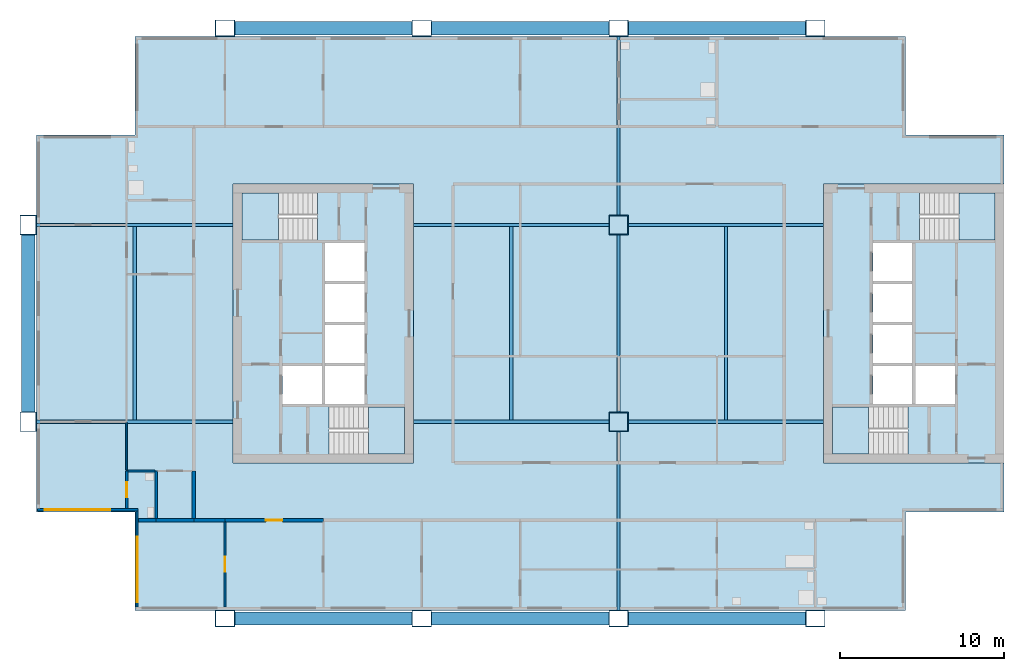
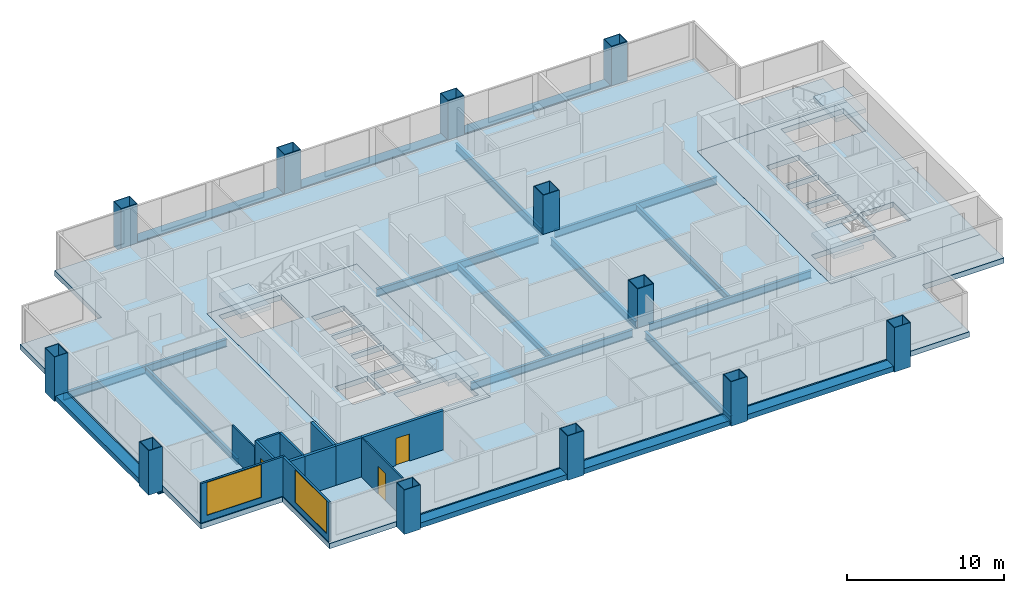
# One storey, part 1 of 8: 19 beams, 12 columns, 12 walls, 7 slabs, 3 doors, 2 windows, 5 openings, 4 elements without a shape of their own.
"""IFC4 building model written with IfcOpenShell, lengths in metres."""

from ifc_helpers import new_model, si_unit, direction, frame, frame_2d, origin, origin_2d, place, context, subcontext, project, spatial, polyline, rectangle, hollow_rectangle, i_section, outline, extrude, material, layer, layer_set, material_profile, profile_set, type_object, element, fill, aggregate, save


model = new_model("IFC4")

# Units and contexts
model_context = context("Model", 3, precision=1e-05, world=origin(), true_north=direction((0.0, 1.0)))
body_context = subcontext(model_context, "Body", "Model", "MODEL_VIEW")
ifc_project = project(units=[si_unit("LENGTHUNIT", "METRE"), si_unit("AREAUNIT", "SQUARE_METRE"), si_unit("VOLUMEUNIT", "CUBIC_METRE"), si_unit("PLANEANGLEUNIT", "RADIAN"), si_unit("MASSUNIT", "GRAM", prefix="KILO")], contexts=[model_context])

# Site, building, storey
site_placement = place(None, origin())
site = spatial("IfcSite", under=ifc_project, at=site_placement, CompositionType="ELEMENT")
building_placement = place(site_placement, origin())
building = spatial("IfcBuilding", under=site, at=building_placement, Name="Kitamizu Gate Tower and Museum", CompositionType="ELEMENT")
storey_placement = place(building_placement, frame((0.0, 0.0, 189.300048828125)))
storey = spatial("IfcBuildingStorey", under=building, at=storey_placement, Name="L50", CompositionType="ELEMENT", Elevation=189.300048828125)

# Columns
ifc_material_1 = material(Name="Steel SM490A bronze coated", Category="steel")
ifc_material_profile_1 = material_profile(ifc_material_1, hollow_rectangle(XDim=1.199951171875, YDim=1.0, WallThickness=0.044921875, at=origin_2d()), Name="BOX 1200x1000x45")
ifc_profile_set_1 = profile_set([ifc_material_profile_1], Name="Steel SM490A bronze coated")
column_type_1 = type_object("IfcColumnType", Name="Exoskeleton column XC7 BOX 1200x1000x45", PredefinedType="COLUMN", material=ifc_profile_set_1)
for number, where, z_axis, x_axis, name in (
    (1, (0.0, 24.0, -0.400146484375), (0.0, 0.0, 1.0), (0.0, 1.0, 0.0), "Column XC7 1C L50"),
    (2, (0.0, 36.0, -0.400146484375), (0.0, 0.0, 1.0), (0.0, 1.0, 0.0), "Column XC7 1D L50"),
    (3, (12.0, 12.0, -0.400146484375), (0.0, 0.0, 1.0), (1.0, 0.0, 0.0), "Column XC7 2B L50"),
    (4, (12.0, 48.0, -0.400146484375), (0.0, 0.0, 1.0), (1.0, 0.0, 0.0), "Column XC7 2E L50"),
    (5, (24.0, 12.0, -0.400146484375), (0.0, 0.0, 1.0), (1.0, 0.0, 0.0), "Column XC7 3B L50"),
    (6, (24.0, 48.0, -0.400146484375), (0.0, 0.0, 1.0), (1.0, 0.0, 0.0), "Column XC7 3E L50"),
    (7, (36.0, 12.0, -0.400146484375), (0.0, 0.0, 1.0), (1.0, 0.0, 0.0), "Column XC7 4B L50"),
    (8, (36.0, 48.0, -0.400146484375), (0.0, 0.0, 1.0), (1.0, 0.0, 0.0), "Column XC7 4E L50"),
    (9, (48.0, 12.0, -0.400146484375), (0.0, 0.0, 1.0), (1.0, 0.0, 0.0), "Column XC7 5B L50"),
    (10, (48.0, 48.0, -0.400146484375), (0.0, 0.0, 1.0), (1.0, 0.0, 0.0), "Column XC7 5E L50"),
):
    element("IfcColumn", number, at=place(storey_placement, frame(where, z_axis=z_axis, x_axis=x_axis)), inside=storey, type_object=column_type_1, Name=name, PredefinedType="COLUMN", context=body_context, shape_type="SweptSolid", body=[
        extrude(hollow_rectangle(XDim=1.199951171875, YDim=1.0, WallThickness=0.044921875, at=origin_2d()), origin(), (0.0, 0.0, 1.0), 3.4501953125),
    ])
ifc_material_2 = material(Name="Steel SM490A", Category="steel")
ifc_material_profile_2 = material_profile(ifc_material_2, hollow_rectangle(XDim=1.199951171875, YDim=1.199951171875, WallThickness=0.050048828125, at=origin_2d()), Name="BOX 1200x1200x50")
ifc_profile_set_2 = profile_set([ifc_material_profile_2], Name="Steel SM490A")
column_type_2 = type_object("IfcColumnType", Name="Interior column IC4 BOX 1200x1200x50", PredefinedType="COLUMN", material=ifc_profile_set_2)
for number, where, z_axis, x_axis, name in (
    (11, (36.0, 24.0, 0.0), (0.0, 0.0, 1.0), (1.0, 0.0, 0.0), "Column IC4 4C L50"),
    (12, (36.0, 36.0, 0.0), (0.0, 0.0, 1.0), (1.0, 0.0, 0.0), "Column IC4 4D L50"),
):
    element("IfcColumn", number, at=place(storey_placement, frame(where, z_axis=z_axis, x_axis=x_axis)), inside=storey, type_object=column_type_2, Name=name, PredefinedType="COLUMN", context=body_context, shape_type="SweptSolid", body=[
        extrude(hollow_rectangle(XDim=1.199951171875, YDim=1.199951171875, WallThickness=0.050048828125, at=origin_2d()), origin(), (0.0, 0.0, 1.0), 3.050048828125),
    ])

# Beams
ifc_material_3 = material(Name="Steel SM490A bronze coated", Category="steel")
ifc_material_profile_3 = material_profile(ifc_material_3, hollow_rectangle(XDim=0.800048828125, YDim=0.39990234375, WallThickness=0.0400390625, at=origin_2d()), Name="BOX 800x400x40")
ifc_profile_set_3 = profile_set([ifc_material_profile_3], Name="Steel SM490A bronze coated")
beam_type_1 = type_object("IfcBeamType", Name="Exoskeleton spandrel beam SB1 BOX 800x400x40", PredefinedType="SPANDREL", material=ifc_profile_set_3)
for number, where, z_axis, x_axis, name in (
    (13, (12.60009765625, 12.0, -0.199951171875), (1.0, 0.0, 0.0), (0.0, 1.0, 0.0), "Exoskeleton spandrel beam south 12 L50"),
    (14, (24.60009765625, 12.0, -0.199951171875), (1.0, 0.0, 0.0), (0.0, 1.0, 0.0), "Exoskeleton spandrel beam south 24 L50"),
    (15, (36.60009765625, 12.0, -0.199951171875), (1.0, 0.0, 0.0), (0.0, 1.0, 0.0), "Exoskeleton spandrel beam south 36 L50"),
    (16, (12.60009765625, 48.0, -0.199951171875), (1.0, 0.0, 0.0), (0.0, 1.0, 0.0), "Exoskeleton spandrel beam north 12 L50"),
    (17, (24.60009765625, 48.0, -0.199951171875), (1.0, 0.0, 0.0), (0.0, 1.0, 0.0), "Exoskeleton spandrel beam north 24 L50"),
    (18, (36.60009765625, 48.0, -0.199951171875), (1.0, 0.0, 0.0), (0.0, 1.0, 0.0), "Exoskeleton spandrel beam north 36 L50"),
    (19, (0.0, 24.60009765625, -0.199951171875), (0.0, 1.0, 0.0), (-1.0, 0.0, 0.0), "Exoskeleton spandrel beam west 24 L50"),
):
    element("IfcBeam", number, at=place(storey_placement, frame(where, z_axis=z_axis, x_axis=x_axis)), inside=storey, type_object=beam_type_1, Name=name, PredefinedType="SPANDREL", context=body_context, shape_type="SweptSolid", body=[
        extrude(hollow_rectangle(XDim=0.800048828125, YDim=0.39990234375, WallThickness=0.0400390625, at=origin_2d()), origin(), (0.0, 0.0, 1.0), 10.7998046875),
    ])
ifc_material_4 = material(Name="Steel SM490A", Category="steel")
ifc_material_profile_4 = material_profile(ifc_material_4, i_section(OverallWidth=0.199951171875, OverallDepth=0.5, WebThickness=0.010009765625, FlangeThickness=0.01611328125, FilletRadius=0.02001953125, at=origin_2d()), Name="H-500x200x10x16")
ifc_profile_set_4 = profile_set([ifc_material_profile_4], Name="Steel SM490A")
beam_type_2 = type_object("IfcBeamType", Name="Floor beam FB1 H 500x200x10x16", PredefinedType="BEAM", material=ifc_profile_set_4)
for number, where, z_axis, x_axis, name in (
    (20, (6.5, 24.10009765625, -0.650146484375), (0.0, 1.0, 0.0), (-1.0, 0.0, 0.0), "Floor beam FB1 L50-1"),
    (21, (29.449951171875, 24.10009765625, -0.650146484375), (0.0, 1.0, 0.0), (-1.0, 0.0, 0.0), "Floor beam FB1 L50-2"),
    (22, (42.550048828125, 24.10009765625, -0.650146484375), (0.0, 1.0, 0.0), (-1.0, 0.0, 0.0), "Floor beam FB1 L50-3"),
):
    element("IfcBeam", number, at=place(storey_placement, frame(where, z_axis=z_axis, x_axis=x_axis)), inside=storey, type_object=beam_type_2, Name=name, PredefinedType="BEAM", context=body_context, shape_type="SweptSolid", body=[
        extrude(i_section(OverallWidth=0.199951171875, OverallDepth=0.5, WebThickness=0.010009765625, FlangeThickness=0.01611328125, FilletRadius=0.02001953125, at=origin_2d()), origin(), (0.0, 0.0, 1.0), 11.7998046875),
    ])
ifc_material_5 = material(Name="Steel SM490A", Category="steel")
ifc_material_profile_5 = material_profile(ifc_material_5, i_section(OverallWidth=0.199951171875, OverallDepth=0.60009765625, WebThickness=0.010986328125, FlangeThickness=0.01708984375, FilletRadius=0.02197265625, at=origin_2d()), Name="H-600x200x11x17")
ifc_profile_set_5 = profile_set([ifc_material_profile_5], Name="Steel SM490A")
beam_type_3 = type_object("IfcBeamType", Name="Floor girder FG1 H 600x200x11x17", PredefinedType="BEAM", material=ifc_profile_set_5)
beam_1_placement = place(storey_placement, frame((36.0, 12.5, -0.699951171875), z_axis=(0.0, 1.0, 0.0), x_axis=(-1.0, 0.0, 0.0)))
element("IfcBeam", 23, at=beam_1_placement, inside=storey, type_object=beam_type_3, Name="Floor girder FG1 x36 L50", PredefinedType="BEAM", context=body_context, shape_type="SweptSolid", body=[
    extrude(i_section(OverallWidth=0.199951171875, OverallDepth=0.60009765625, WebThickness=0.010986328125, FlangeThickness=0.01708984375, FilletRadius=0.02197265625, at=origin_2d()), origin(), (0.0, 0.0, 1.0), 10.89990234375),
])
beam_2_placement = place(storey_placement, frame((36.0, 24.60009765625, -0.699951171875), z_axis=(0.0, 1.0, 0.0), x_axis=(-1.0, 0.0, 0.0)))
element("IfcBeam", 24, at=beam_2_placement, inside=storey, type_object=beam_type_3, Name="Floor girder FG1 x36 L50", PredefinedType="BEAM", context=body_context, shape_type="SweptSolid", body=[
    extrude(i_section(OverallWidth=0.199951171875, OverallDepth=0.60009765625, WebThickness=0.010986328125, FlangeThickness=0.01708984375, FilletRadius=0.02197265625, at=origin_2d()), origin(), (0.0, 0.0, 1.0), 10.7998046875),
])
beam_3_placement = place(storey_placement, frame((36.0, 36.60009765625, -0.699951171875), z_axis=(0.0, 1.0, 0.0), x_axis=(-1.0, 0.0, 0.0)))
element("IfcBeam", 25, at=beam_3_placement, inside=storey, type_object=beam_type_3, Name="Floor girder FG1 x36 L50", PredefinedType="BEAM", context=body_context, shape_type="SweptSolid", body=[
    extrude(i_section(OverallWidth=0.199951171875, OverallDepth=0.60009765625, WebThickness=0.010986328125, FlangeThickness=0.01708984375, FilletRadius=0.02197265625, at=origin_2d()), origin(), (0.0, 0.0, 1.0), 10.89990234375),
])
beam_4_placement = place(storey_placement, frame((0.5, 24.0, -0.699951171875), z_axis=(1.0, 0.0, 0.0), x_axis=(0.0, 1.0, 0.0)))
element("IfcBeam", 26, at=beam_4_placement, inside=storey, type_object=beam_type_3, Name="Floor girder FG1 y24 L50", PredefinedType="BEAM", context=body_context, shape_type="SweptSolid", body=[
    extrude(i_section(OverallWidth=0.199951171875, OverallDepth=0.60009765625, WebThickness=0.010986328125, FlangeThickness=0.01708984375, FilletRadius=0.02197265625, at=origin_2d()), origin(), (0.0, 0.0, 1.0), 12.0),
])
for number, where, z_axis, x_axis, name in (
    (27, (23.5, 24.0, -0.699951171875), (1.0, 0.0, 0.0), (0.0, 1.0, 0.0), "Floor girder FG1 y24 L50"),
    (28, (36.60009765625, 24.0, -0.699951171875), (1.0, 0.0, 0.0), (0.0, 1.0, 0.0), "Floor girder FG1 y24 L50"),
):
    element("IfcBeam", number, at=place(storey_placement, frame(where, z_axis=z_axis, x_axis=x_axis)), inside=storey, type_object=beam_type_3, Name=name, PredefinedType="BEAM", context=body_context, shape_type="SweptSolid", body=[
        extrude(i_section(OverallWidth=0.199951171875, OverallDepth=0.60009765625, WebThickness=0.010986328125, FlangeThickness=0.01708984375, FilletRadius=0.02197265625, at=origin_2d()), origin(), (0.0, 0.0, 1.0), 11.89990234375),
    ])
beam_5_placement = place(storey_placement, frame((0.5, 36.0, -0.699951171875), z_axis=(1.0, 0.0, 0.0), x_axis=(0.0, 1.0, 0.0)))
element("IfcBeam", 29, at=beam_5_placement, inside=storey, type_object=beam_type_3, Name="Floor girder FG1 y36 L50", PredefinedType="BEAM", context=body_context, shape_type="SweptSolid", body=[
    extrude(i_section(OverallWidth=0.199951171875, OverallDepth=0.60009765625, WebThickness=0.010986328125, FlangeThickness=0.01708984375, FilletRadius=0.02197265625, at=origin_2d()), origin(), (0.0, 0.0, 1.0), 12.0),
])
for number, where, z_axis, x_axis, name in (
    (30, (23.5, 36.0, -0.699951171875), (1.0, 0.0, 0.0), (0.0, 1.0, 0.0), "Floor girder FG1 y36 L50"),
    (31, (36.60009765625, 36.0, -0.699951171875), (1.0, 0.0, 0.0), (0.0, 1.0, 0.0), "Floor girder FG1 y36 L50"),
):
    element("IfcBeam", number, at=place(storey_placement, frame(where, z_axis=z_axis, x_axis=x_axis)), inside=storey, type_object=beam_type_3, Name=name, PredefinedType="BEAM", context=body_context, shape_type="SweptSolid", body=[
        extrude(i_section(OverallWidth=0.199951171875, OverallDepth=0.60009765625, WebThickness=0.010986328125, FlangeThickness=0.01708984375, FilletRadius=0.02197265625, at=origin_2d()), origin(), (0.0, 0.0, 1.0), 11.89990234375),
    ])

# Slabs
ifc_material_6 = material(Name="Concrete Fc36", Category="concrete")
ifc_layer_1 = layer(ifc_material_6, 0.39990234375)
ifc_layer_set_1 = layer_set([ifc_layer_1], Name="Concrete Fc36")
slab_type_1 = type_object("IfcSlabType", Name="Core floor slab 400", PredefinedType="FLOOR", material=ifc_layer_set_1)
slab_1_placement = place(storey_placement, frame((0.0, 0.0, -0.400146484375)))
element("IfcSlab", 32, at=slab_1_placement, inside=storey, type_object=slab_type_1, Name="Core floor slab W", PredefinedType="FLOOR", context=body_context, shape_type="SweptSolid", body=[
    extrude(outline(polyline([(12.5, 21.5), (23.5, 21.5), (23.5, 38.5), (12.5, 38.5), (12.5, 21.5)]), holes=[polyline([(15.5, 25.10009765625), (17.89990234375, 25.10009765625), (17.89990234375, 27.39990234375), (15.5, 27.39990234375), (15.5, 25.10009765625)]), polyline([(18.10009765625, 25.10009765625), (20.5, 25.10009765625), (20.5, 27.39990234375), (18.10009765625, 27.39990234375), (18.10009765625, 25.10009765625)]), polyline([(18.10009765625, 27.60009765625), (20.5, 27.60009765625), (20.5, 29.89990234375), (18.10009765625, 29.89990234375), (18.10009765625, 27.60009765625)]), polyline([(18.10009765625, 30.10009765625), (20.5, 30.10009765625), (20.5, 32.39990234375), (18.10009765625, 32.39990234375), (18.10009765625, 30.10009765625)]), polyline([(18.10009765625, 32.60009765625), (20.5, 32.60009765625), (20.5, 34.89990234375), (18.10009765625, 34.89990234375), (18.10009765625, 32.60009765625)]), polyline([(18.3505859375, 22.050048828125), (22.949951171875, 22.050048828125), (22.949951171875, 24.89990234375), (18.3505859375, 24.89990234375), (18.3505859375, 22.050048828125)]), polyline([(13.050048828125, 35.10009765625), (17.6494140625, 35.10009765625), (17.6494140625, 37.949951171875), (13.050048828125, 37.949951171875), (13.050048828125, 35.10009765625)])]), origin(), (0.0, 0.0, 1.0), 0.400146484375),
])
slab_2_placement = place(storey_placement, frame((0.0, 0.0, -0.400146484375)))
element("IfcSlab", 33, at=slab_2_placement, inside=storey, type_object=slab_type_1, Name="Core floor slab E", PredefinedType="FLOOR", context=body_context, shape_type="SweptSolid", body=[
    extrude(outline(polyline([(48.5, 21.5), (59.5, 21.5), (59.5, 38.5), (48.5, 38.5), (48.5, 21.5)]), holes=[polyline([(54.10009765625, 25.10009765625), (56.5, 25.10009765625), (56.5, 27.39990234375), (54.10009765625, 27.39990234375), (54.10009765625, 25.10009765625)]), polyline([(51.5, 25.10009765625), (53.89990234375, 25.10009765625), (53.89990234375, 27.39990234375), (51.5, 27.39990234375), (51.5, 25.10009765625)]), polyline([(51.5, 27.60009765625), (53.89990234375, 27.60009765625), (53.89990234375, 29.89990234375), (51.5, 29.89990234375), (51.5, 27.60009765625)]), polyline([(51.5, 30.10009765625), (53.89990234375, 30.10009765625), (53.89990234375, 32.39990234375), (51.5, 32.39990234375), (51.5, 30.10009765625)]), polyline([(51.5, 32.60009765625), (53.89990234375, 32.60009765625), (53.89990234375, 34.89990234375), (51.5, 34.89990234375), (51.5, 32.60009765625)]), polyline([(49.050048828125, 22.050048828125), (53.6494140625, 22.050048828125), (53.6494140625, 24.89990234375), (49.050048828125, 24.89990234375), (49.050048828125, 22.050048828125)]), polyline([(54.3505859375, 35.10009765625), (58.949951171875, 35.10009765625), (58.949951171875, 37.949951171875), (54.3505859375, 37.949951171875), (54.3505859375, 35.10009765625)])]), origin(), (0.0, 0.0, 1.0), 0.400146484375),
])
ifc_material_7 = material(Name="Concrete Fc36", Category="concrete")
ifc_layer_2 = layer(ifc_material_7, 0.39990234375)
ifc_layer_set_2 = layer_set([ifc_layer_2], Name="Concrete Fc36")
slab_type_2 = type_object("IfcSlabType", Name="Post tensioned flat slab 400", PredefinedType="FLOOR", material=ifc_layer_set_2)
slab_3_placement = place(storey_placement, frame((0.0, 0.0, -0.400146484375)))
element("IfcSlab", 34, at=slab_3_placement, inside=storey, type_object=slab_type_2, Name="Floor slab L50-1", PredefinedType="FLOOR", context=body_context, shape_type="SweptSolid", body=[
    extrude(outline(polyline([(0.5, 18.5), (0.5, 41.5), (6.5, 41.5), (6.5, 47.5), (53.5, 47.5), (53.5, 41.5), (59.5, 41.5), (59.5, 38.5), (48.5, 38.5), (48.5, 21.5), (59.5, 21.5), (59.5, 18.5), (53.5, 18.5), (53.5, 12.5), (6.5, 12.5), (6.5, 18.5), (0.5, 18.5)]), holes=[polyline([(12.5, 38.5), (12.5, 21.5), (23.5, 21.5), (23.5, 38.5), (12.5, 38.5)])]), origin(), (0.0, 0.0, 1.0), 0.400146484375),
])

# Stair, slab
ifc_material_8 = material(Name="Concrete Fc42", Category="concrete")
stair_type = type_object("IfcStairType", Name="Exit stair 1325 wide 192 rise 300 going", PredefinedType="HALF_TURN_STAIR", material=ifc_material_8)
stair_1_placement = place(storey_placement, origin())
stair_1 = element("IfcStair", 35, at=stair_1_placement, inside=storey, type_object=stair_type, Name="Exit stair ST1", PredefinedType="HALF_TURN_STAIR")
ifc_material_9 = material(Name="Concrete Fc42", Category="concrete")
ifc_layer_3 = layer(ifc_material_9, 0.300048828125)
ifc_layer_set_3 = layer_set([ifc_layer_3], Name="Concrete Fc42")
slab_type_3 = type_object("IfcSlabType", Name="Stair landing 300", PredefinedType="LANDING", material=ifc_layer_set_3)
slab_4_placement = place(storey_placement, frame((0.0, 0.0, 1.425048828125)))
slab_4 = element("IfcSlab", 36, at=slab_4_placement, type_object=slab_type_3, Name="ST1 landing 1", PredefinedType="LANDING", context=body_context, shape_type="SweptSolid", body=[
    extrude(outline(polyline([(20.75, 22.050048828125), (22.949951171875, 22.050048828125), (22.949951171875, 24.89990234375), (20.75, 24.89990234375), (20.75, 22.050048828125)])), origin(), (0.0, 0.0, 1.0), 0.2998046875),
])
aggregate(stair_1, [slab_4])

stair_2_placement = place(storey_placement, origin())
stair_2 = element("IfcStair", 37, at=stair_2_placement, inside=storey, type_object=stair_type, Name="Exit stair ST2", PredefinedType="HALF_TURN_STAIR")
slab_5_placement = place(storey_placement, frame((0.0, 0.0, 1.425048828125)))
slab_5 = element("IfcSlab", 38, at=slab_5_placement, type_object=slab_type_3, Name="ST2 landing 1", PredefinedType="LANDING", context=body_context, shape_type="SweptSolid", body=[
    extrude(outline(polyline([(13.050048828125, 35.10009765625), (15.25, 35.10009765625), (15.25, 37.949951171875), (13.050048828125, 37.949951171875), (13.050048828125, 35.10009765625)])), origin(), (0.0, 0.0, 1.0), 0.2998046875),
])
aggregate(stair_2, [slab_5])

stair_3_placement = place(storey_placement, origin())
stair_3 = element("IfcStair", 39, at=stair_3_placement, inside=storey, type_object=stair_type, Name="Exit stair ST3", PredefinedType="HALF_TURN_STAIR")
slab_6_placement = place(storey_placement, frame((0.0, 0.0, 1.425048828125)))
slab_6 = element("IfcSlab", 40, at=slab_6_placement, type_object=slab_type_3, Name="ST3 landing 1", PredefinedType="LANDING", context=body_context, shape_type="SweptSolid", body=[
    extrude(outline(polyline([(49.050048828125, 22.050048828125), (51.25, 22.050048828125), (51.25, 24.89990234375), (49.050048828125, 24.89990234375), (49.050048828125, 22.050048828125)])), origin(), (0.0, 0.0, 1.0), 0.2998046875),
])
aggregate(stair_3, [slab_6])

stair_4_placement = place(storey_placement, origin())
stair_4 = element("IfcStair", 41, at=stair_4_placement, inside=storey, type_object=stair_type, Name="Exit stair ST4", PredefinedType="HALF_TURN_STAIR")
slab_7_placement = place(storey_placement, frame((0.0, 0.0, 1.425048828125)))
slab_7 = element("IfcSlab", 42, at=slab_7_placement, type_object=slab_type_3, Name="ST4 landing 1", PredefinedType="LANDING", context=body_context, shape_type="SweptSolid", body=[
    extrude(outline(polyline([(56.75, 35.10009765625), (58.949951171875, 35.10009765625), (58.949951171875, 37.949951171875), (56.75, 37.949951171875), (56.75, 35.10009765625)])), origin(), (0.0, 0.0, 1.0), 0.2998046875),
])
aggregate(stair_4, [slab_7])

# Wall, opening, door
ifc_material_10 = material(Name="Gypsum board on galvanised stud")
ifc_layer_4 = layer(ifc_material_10, 0.10009765625)
ifc_layer_set_4 = layer_set([ifc_layer_4], Name="Gypsum board on galvanised stud")
wall_type_1 = type_object("IfcWallType", Name="Partition 100 NOT RATED", PredefinedType="PARTITIONING", material=ifc_layer_set_4)
wall_1_placement = place(storey_placement, frame((12.0, 12.719970703125, 0.0), z_axis=(0.0, 0.0, 1.0), x_axis=(0.0, 1.0, 0.0)))
wall_1 = element("IfcWall", 43, at=wall_1_placement, inside=storey, type_object=wall_type_1, Name="Partition L50-001", PredefinedType="PARTITIONING", context=body_context, shape_type="SweptSolid", body=[
    extrude(rectangle(XDim=5.179931640625, YDim=0.10009765625, at=frame_2d((2.58984375, 0.0))), origin(), (0.0, 0.0, 1.0), 3.050048828125),
])
opening_1_placement = place(wall_1_placement, frame((2.139892578125, 0.0, 0.0)))
opening_1 = element("IfcOpeningElement", 44, at=opening_1_placement, cuts=wall_1, Name="Opening L50-002", PredefinedType="OPENING", context=body_context, shape_type="SweptSolid", body=[
    extrude(rectangle(XDim=0.89990234375, YDim=2.10009765625, at=frame_2d((0.449951171875, 1.050048828125))), frame((0.0, 0.06005859375, 0.0), z_axis=(0.0, -1.0, 0.0), x_axis=(1.0, 0.0, 0.0)), (0.0, 0.0, 1.0), 0.1201171875),
])
ifc_material_11 = material(Name="Timber door set", Category="wood")
door_type_1 = type_object("IfcDoorType", Name="Room door 900", OperationType="NOTDEFINED", PredefinedType="DOOR", material=ifc_material_11)
door_1_placement = place(opening_1_placement, origin())
door_1 = element("IfcDoor", 45, at=door_1_placement, inside=storey, type_object=door_type_1, Name="Door L50-002", OperationType="SINGLE_SWING_LEFT", OverallHeight=2.10009765625, OverallWidth=0.89990234375, PredefinedType="DOOR", context=body_context, shape_type="SweptSolid", body=[
    extrude(rectangle(XDim=0.89990234375, YDim=2.10009765625, at=frame_2d((0.449951171875, 1.050048828125))), frame((0.0, 0.02490234375, 0.0), z_axis=(0.0, -1.0, 0.0), x_axis=(1.0, 0.0, 0.0)), (0.0, 0.0, 1.0), 0.050048828125),
])
fill(opening_1, door_1)

# Wall
wall_2_placement = place(storey_placement, frame((6.0, 21.074951171875, 0.0), z_axis=(0.0, 0.0, 1.0), x_axis=(0.0, 1.0, 0.0)))
element("IfcWall", 46, at=wall_2_placement, inside=storey, type_object=wall_type_1, Name="Partition L50-040", PredefinedType="PARTITIONING", context=body_context, shape_type="SweptSolid", body=[
    extrude(rectangle(XDim=2.875, YDim=0.10009765625, at=frame_2d((1.4375, 0.0))), origin(), (0.0, 0.0, 1.0), 2.449951171875),
])

# Wall, opening, door
ifc_material_12 = material(Name="Gypsum board on galvanised stud")
ifc_layer_5 = layer(ifc_material_12, 0.14990234375)
ifc_layer_set_5 = layer_set([ifc_layer_5], Name="Gypsum board on galvanised stud")
wall_type_2 = type_object("IfcWallType", Name="Partition 150", PredefinedType="PARTITIONING", material=ifc_layer_set_5)
wall_3_placement = place(storey_placement, frame((6.0, 18.719970703125, 0.0), z_axis=(0.0, 0.0, 1.0), x_axis=(0.0, 1.0, 0.0)))
wall_3 = element("IfcWall", 47, at=wall_3_placement, inside=storey, type_object=wall_type_2, Name="Partition L50-039", PredefinedType="PARTITIONING", context=body_context, shape_type="SweptSolid", body=[
    extrude(rectangle(XDim=2.280029296875, YDim=0.14990234375, at=frame_2d((1.14013671875, 0.0))), origin(), (0.0, 0.0, 1.0), 3.050048828125),
])
opening_2_placement = place(wall_3_placement, frame((0.68994140625, 0.0, 0.0)))
opening_2 = element("IfcOpeningElement", 48, at=opening_2_placement, cuts=wall_3, Name="Opening L50-022", PredefinedType="OPENING", context=body_context, shape_type="SweptSolid", body=[
    extrude(rectangle(XDim=0.89990234375, YDim=2.10009765625, at=frame_2d((0.449951171875, 1.050048828125))), frame((0.0, 0.0849609375, 0.0), z_axis=(0.0, -1.0, 0.0), x_axis=(1.0, 0.0, 0.0)), (0.0, 0.0, 1.0), 0.169921875),
])
ifc_material_13 = material(Name="Timber door set", Category="wood")
door_type_2 = type_object("IfcDoorType", Name="Bathroom door 900", OperationType="NOTDEFINED", PredefinedType="DOOR", material=ifc_material_13)
door_2_placement = place(opening_2_placement, frame((0.89990234375, 0.0, 0.0), x_axis=(-1.0, 0.0, 0.0)))
door_2 = element("IfcDoor", 49, at=door_2_placement, inside=storey, type_object=door_type_2, Name="Bathroom door L50-022", OperationType="SINGLE_SWING_RIGHT", OverallHeight=2.10009765625, OverallWidth=0.89990234375, PredefinedType="DOOR", context=body_context, shape_type="SweptSolid", body=[
    extrude(rectangle(XDim=0.89990234375, YDim=2.10009765625, at=frame_2d((0.449951171875, 1.050048828125))), frame((0.0, 0.02490234375, 0.0), z_axis=(0.0, -1.0, 0.0), x_axis=(1.0, 0.0, 0.0)), (0.0, 0.0, 1.0), 0.050048828125),
])
fill(opening_2, door_2)

# Walls
wall_4_placement = place(storey_placement, frame((7.800048828125, 18.10009765625, 0.0), z_axis=(0.0, 0.0, 1.0), x_axis=(0.0, 1.0, 0.0)))
element("IfcWall", 50, at=wall_4_placement, inside=storey, type_object=wall_type_2, Name="Partition L50-046", PredefinedType="PARTITIONING", context=body_context, shape_type="SweptSolid", body=[
    extrude(rectangle(XDim=2.89990234375, YDim=0.14990234375, at=frame_2d((1.449951171875, 0.0))), origin(), (0.0, 0.0, 1.0), 3.050048828125),
])
wall_5_placement = place(storey_placement, frame((7.72509765625, 21.0, 0.0), z_axis=(0.0, 0.0, 1.0), x_axis=(-1.0, 0.0, 0.0)))
element("IfcWall", 51, at=wall_5_placement, inside=storey, type_object=wall_type_2, Name="Partition L50-047", PredefinedType="PARTITIONING", context=body_context, shape_type="SweptSolid", body=[
    extrude(rectangle(XDim=1.650146484375, YDim=0.14990234375, at=frame_2d((0.8251953125, 0.0))), origin(), (0.0, 0.0, 1.0), 3.050048828125),
])
ifc_material_14 = material(Name="Gypsum board on galvanised stud")
ifc_layer_6 = layer(ifc_material_14, 0.199951171875)
ifc_layer_set_6 = layer_set([ifc_layer_6], Name="Gypsum board on galvanised stud")
wall_type_3 = type_object("IfcWallType", Name="Partition 200", PredefinedType="PARTITIONING", material=ifc_layer_set_6)
wall_6_placement = place(storey_placement, frame((7.800048828125, 18.0, 0.0), z_axis=(0.0, 0.0, 1.0), x_axis=(-1.0, 0.0, 0.0)))
element("IfcWall", 52, at=wall_6_placement, inside=storey, type_object=wall_type_3, Name="Partition L50-002", PredefinedType="PARTITIONING", context=body_context, shape_type="SweptSolid", body=[
    extrude(rectangle(XDim=1.080078125, YDim=0.199951171875, at=frame_2d((0.5400390625, 0.0))), origin(), (0.0, 0.0, 1.0), 3.050048828125),
])
wall_7_placement = place(storey_placement, frame((10.10009765625, 18.0, 0.0), z_axis=(0.0, 0.0, 1.0), x_axis=(-1.0, 0.0, 0.0)))
element("IfcWall", 53, at=wall_7_placement, inside=storey, type_object=wall_type_3, Name="Partition L50-003", PredefinedType="PARTITIONING", context=body_context, shape_type="SweptSolid", body=[
    extrude(rectangle(XDim=2.300048828125, YDim=0.199951171875, at=frame_2d((1.14990234375, 0.0))), origin(), (0.0, 0.0, 1.0), 3.050048828125),
])
wall_8_placement = place(storey_placement, frame((12.0, 18.0, 0.0), z_axis=(0.0, 0.0, 1.0), x_axis=(-1.0, 0.0, 0.0)))
element("IfcWall", 54, at=wall_8_placement, inside=storey, type_object=wall_type_3, Name="Partition L50-004", PredefinedType="PARTITIONING", context=body_context, shape_type="SweptSolid", body=[
    extrude(rectangle(XDim=1.89990234375, YDim=0.199951171875, at=frame_2d((0.949951171875, 0.0))), origin(), (0.0, 0.0, 1.0), 3.050048828125),
])

# Wall, opening, door
wall_9_placement = place(storey_placement, frame((18.0, 18.0, 0.0), z_axis=(0.0, 0.0, 1.0), x_axis=(-1.0, 0.0, 0.0)))
wall_9 = element("IfcWall", 55, at=wall_9_placement, inside=storey, type_object=wall_type_3, Name="Partition L50-006", PredefinedType="PARTITIONING", context=body_context, shape_type="SweptSolid", body=[
    extrude(rectangle(XDim=6.0, YDim=0.199951171875, at=frame_2d((3.0, 0.0))), origin(), (0.0, 0.0, 1.0), 3.050048828125),
])
opening_3_placement = place(wall_9_placement, frame((2.5, 0.0, 0.0)))
opening_3 = element("IfcOpeningElement", 56, at=opening_3_placement, cuts=wall_9, Name="Opening L50-001", PredefinedType="OPENING", context=body_context, shape_type="SweptSolid", body=[
    extrude(rectangle(XDim=1.0, YDim=2.10009765625, at=frame_2d((0.5, 1.050048828125))), frame((0.0, 0.10986328125, 0.0), z_axis=(0.0, -1.0, 0.0), x_axis=(1.0, 0.0, 0.0)), (0.0, 0.0, 1.0), 0.219970703125),
])
ifc_material_15 = material(Name="Timber door set", Category="wood")
door_type_3 = type_object("IfcDoorType", Name="Flat entrance door 1000", OperationType="NOTDEFINED", PredefinedType="DOOR", material=ifc_material_15)
door_3_placement = place(opening_3_placement, origin())
door_3 = element("IfcDoor", 57, at=door_3_placement, inside=storey, type_object=door_type_3, Name="Flat entrance door L50-001", OperationType="SINGLE_SWING_RIGHT", OverallHeight=2.10009765625, OverallWidth=1.0, PredefinedType="DOOR", context=body_context, shape_type="SweptSolid", body=[
    extrude(rectangle(XDim=1.0, YDim=2.10009765625, at=frame_2d((0.5, 1.050048828125))), frame((0.0, 0.02490234375, 0.0), z_axis=(0.0, -1.0, 0.0), x_axis=(1.0, 0.0, 0.0)), (0.0, 0.0, 1.0), 0.050048828125),
])
fill(opening_3, door_3)

# Wall
wall_10_placement = place(storey_placement, frame((10.10009765625, 18.10009765625, 0.0), z_axis=(0.0, 0.0, 1.0), x_axis=(0.0, 1.0, 0.0)))
element("IfcWall", 58, at=wall_10_placement, inside=storey, type_object=wall_type_3, Name="Partition L50-049", PredefinedType="PARTITIONING", context=body_context, shape_type="SweptSolid", body=[
    extrude(rectangle(XDim=2.89990234375, YDim=0.199951171875, at=frame_2d((1.449951171875, 0.0))), origin(), (0.0, 0.0, 1.0), 3.050048828125),
])

# Wall, opening, window
ifc_material_16 = material(Name="Bronze anodised aluminium frame with insulated spandrel and tinted glass", Category="aluminium")
ifc_layer_7 = layer(ifc_material_16, 0.14990234375)
ifc_layer_set_7 = layer_set([ifc_layer_7], Name="Bronze anodised aluminium frame with insulated spandrel and tinted glass")
wall_type_4 = type_object("IfcWallType", Name="WINDOW WALL 150 BRONZE FRAME EI 30", PredefinedType="ELEMENTEDWALL", material=ifc_layer_set_7)
wall_11_placement = place(storey_placement, frame((0.56005859375, 18.635009765625, 0.0), z_axis=(0.0, 0.0, 1.0), x_axis=(1.0, 0.0, 0.0)))
wall_11 = element("IfcWall", 59, at=wall_11_placement, inside=storey, type_object=wall_type_4, Name="Window wall south L50", PredefinedType="ELEMENTEDWALL", context=body_context, shape_type="SweptSolid", body=[
    extrude(rectangle(XDim=6.14990234375, YDim=0.14990234375, at=frame_2d((3.074951171875, 0.0))), origin(), (0.0, 0.0, 1.0), 3.050048828125),
])
opening_4_placement = place(wall_11_placement, frame((0.43994140625, 0.0, 0.449951171875)))
opening_4 = element("IfcOpeningElement", 60, at=opening_4_placement, cuts=wall_11, Name="Opening W16", PredefinedType="OPENING", context=body_context, shape_type="SweptSolid", body=[
    extrude(rectangle(XDim=4.0, YDim=2.550048828125, at=frame_2d((2.0, 1.27490234375))), frame((0.0, 0.0849609375, 0.0), z_axis=(0.0, -1.0, 0.0), x_axis=(1.0, 0.0, 0.0)), (0.0, 0.0, 1.0), 0.169921875),
])
ifc_material_17 = material(Name="Bronze anodised aluminium frame, tinted triple glazing", Category="aluminium")
window_type = type_object("IfcWindowType", Name="WINDOW 4000 x 2550 SILL 450", PartitioningType="SINGLE_PANEL", PredefinedType="WINDOW", material=ifc_material_17)
window_1_placement = place(opening_4_placement, origin())
window_1 = element("IfcWindow", 61, at=window_1_placement, inside=storey, type_object=window_type, Name="Window W16 L50", OverallHeight=2.550048828125, OverallWidth=4.0, PartitioningType="SINGLE_PANEL", PredefinedType="WINDOW", context=body_context, shape_type="SweptSolid", body=[
    extrude(rectangle(XDim=4.0, YDim=2.550048828125, at=frame_2d((2.0, 1.27490234375))), frame((0.0, 0.030029296875, 0.0), z_axis=(0.0, -1.0, 0.0), x_axis=(1.0, 0.0, 0.0)), (0.0, 0.0, 1.0), 0.06005859375),
])
fill(opening_4, window_1)

wall_12_placement = place(storey_placement, frame((6.635009765625, 12.7099609375, 0.0), z_axis=(0.0, 0.0, 1.0), x_axis=(0.0, 1.0, 0.0)))
wall_12 = element("IfcWall", 62, at=wall_12_placement, inside=storey, type_object=wall_type_4, Name="Window wall west L50", PredefinedType="ELEMENTEDWALL", context=body_context, shape_type="SweptSolid", body=[
    extrude(rectangle(XDim=5.85009765625, YDim=0.14990234375, at=frame_2d((2.925048828125, 0.0))), origin(), (0.0, 0.0, 1.0), 3.050048828125),
])
opening_5_placement = place(wall_12_placement, frame((0.2900390625, 0.0, 0.449951171875)))
opening_5 = element("IfcOpeningElement", 63, at=opening_5_placement, cuts=wall_12, Name="Opening W16", PredefinedType="OPENING", context=body_context, shape_type="SweptSolid", body=[
    extrude(rectangle(XDim=4.0, YDim=2.550048828125, at=frame_2d((2.0, 1.27490234375))), frame((0.0, 0.0849609375, 0.0), z_axis=(0.0, -1.0, 0.0), x_axis=(1.0, 0.0, 0.0)), (0.0, 0.0, 1.0), 0.169921875),
])
window_2_placement = place(opening_5_placement, origin())
window_2 = element("IfcWindow", 64, at=window_2_placement, inside=storey, type_object=window_type, Name="Window W16 L50", OverallHeight=2.550048828125, OverallWidth=4.0, PartitioningType="SINGLE_PANEL", PredefinedType="WINDOW", context=body_context, shape_type="SweptSolid", body=[
    extrude(rectangle(XDim=4.0, YDim=2.550048828125, at=frame_2d((2.0, 1.27490234375))), frame((0.0, 0.030029296875, 0.0), z_axis=(0.0, -1.0, 0.0), x_axis=(1.0, 0.0, 0.0)), (0.0, 0.0, 1.0), 0.06005859375),
])
fill(opening_5, window_2)

save(model, "model.ifc")
